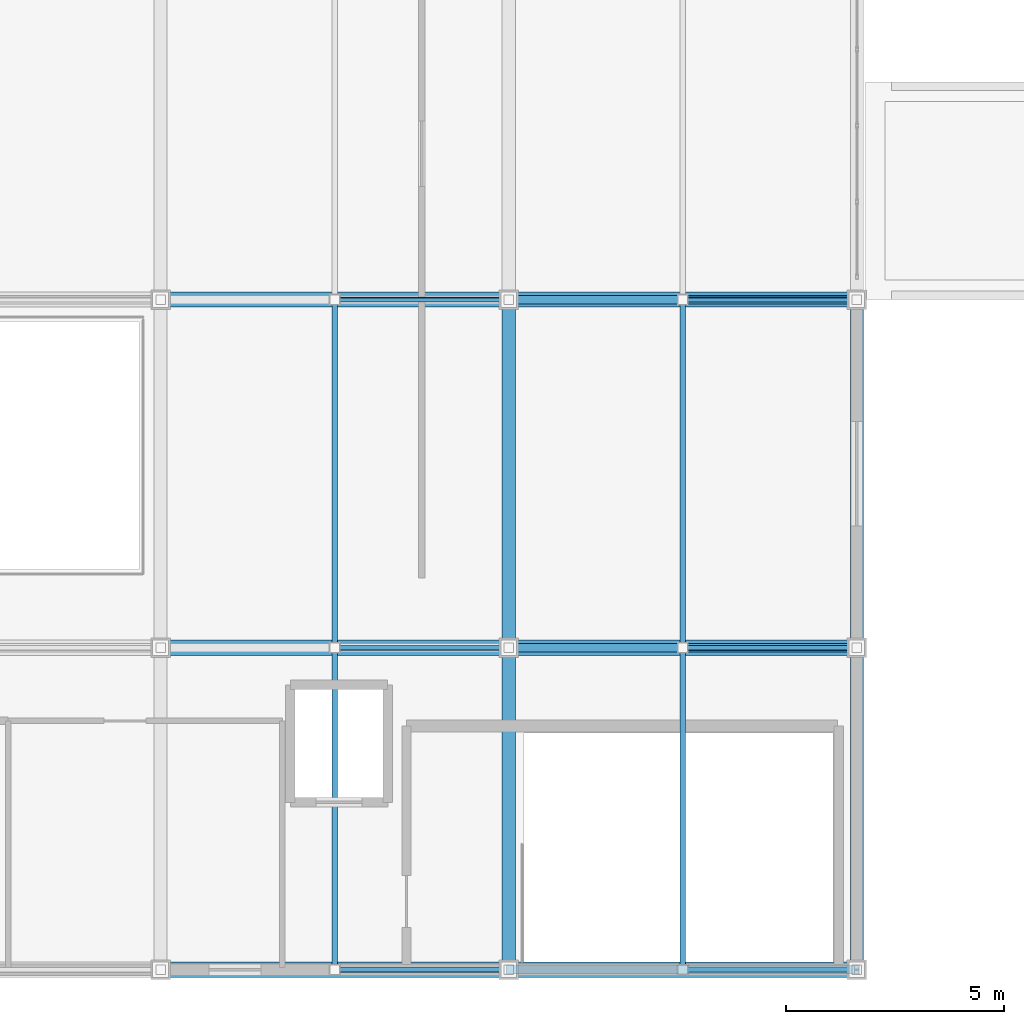
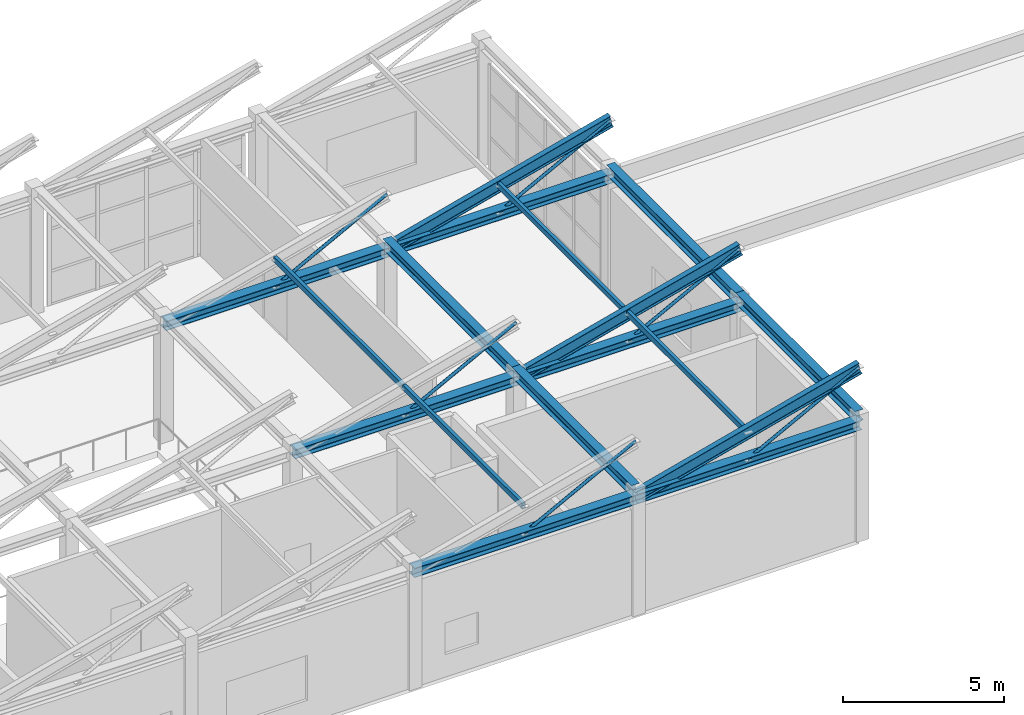
# One storey, part 6 of 63: 16 members, 7 beams.
"""IFC4 building model written with IfcOpenShell, lengths in metres."""

from ifc_helpers import new_model, si_unit, direction, frame, origin, origin_2d, place, context, subcontext, project, spatial, hollow_rectangle, hollow_circle, i_section, extrude, material, material_profile, profile_set, type_object, element, save


model = new_model("IFC4")

# Units and contexts
model_context = context("Model", 3, precision=1e-05, world=origin(), true_north=direction((0.0, 1.0)))
body_context = subcontext(model_context, "Body", "Model", "MODEL_VIEW")
ifc_project = project(units=[si_unit("LENGTHUNIT", "METRE"), si_unit("AREAUNIT", "SQUARE_METRE"), si_unit("VOLUMEUNIT", "CUBIC_METRE"), si_unit("PLANEANGLEUNIT", "RADIAN"), si_unit("MASSUNIT", "GRAM", prefix="KILO")], contexts=[model_context])

# Site, building, storey
site_placement = place(None, origin())
site = spatial("IfcSite", under=ifc_project, at=site_placement, CompositionType="ELEMENT")
building_placement = place(site_placement, origin())
building = spatial("IfcBuilding", under=site, at=building_placement, Name="Canggui Botanical Conservatory", CompositionType="ELEMENT")
storey_placement = place(building_placement, frame((0.0, 0.0, 10.199951171875)))
storey = spatial("IfcBuildingStorey", under=building, at=storey_placement, Name="L03", CompositionType="ELEMENT", Elevation=10.199951171875)

# Beams
ifc_material = material(Name="Steel Q355B", Category="steel")
ifc_material_profile_1 = material_profile(ifc_material, i_section(OverallWidth=0.300048828125, OverallDepth=0.39990234375, WebThickness=0.010009765625, FlangeThickness=0.01611328125, FilletRadius=0.02197265625, at=origin_2d()), Name="HM 400x300x10x16")
ifc_profile_set_1 = profile_set([ifc_material_profile_1], Name="Steel Q355B")
beam_type_1 = type_object("IfcBeamType", Name="BM-GL03", PredefinedType="BEAM", material=ifc_profile_set_1)
beam_1_placement = place(storey_placement, frame((58.0, 10.60009765625, 4.60009765625), z_axis=(0.0, 1.0, 0.0), x_axis=(-1.0, 0.0, 0.0)))
element("IfcBeam", 1, at=beam_1_placement, inside=storey, type_object=beam_type_1, Name="Visitor Clerestory Support Girder 4-1", PredefinedType="BEAM", context=body_context, shape_type="SweptSolid", body=[
    extrude(i_section(OverallWidth=0.300048828125, OverallDepth=0.39990234375, WebThickness=0.010009765625, FlangeThickness=0.01611328125, FilletRadius=0.02197265625, at=origin_2d()), origin(), (0.0, 0.0, 1.0), 7.39990234375),
])
beam_2_placement = place(storey_placement, frame((58.0, 18.0, 4.60009765625), z_axis=(0.0, 1.0, 0.0), x_axis=(-1.0, 0.0, 0.0)))
element("IfcBeam", 2, at=beam_2_placement, inside=storey, type_object=beam_type_1, Name="Visitor Clerestory Support Girder 4-2", PredefinedType="BEAM", context=body_context, shape_type="SweptSolid", body=[
    extrude(i_section(OverallWidth=0.300048828125, OverallDepth=0.39990234375, WebThickness=0.010009765625, FlangeThickness=0.01611328125, FilletRadius=0.02197265625, at=origin_2d()), origin(), (0.0, 0.0, 1.0), 8.0),
])
beam_3_placement = place(storey_placement, frame((66.0, 10.60009765625, 4.60009765625), z_axis=(0.0, 1.0, 0.0), x_axis=(-1.0, 0.0, 0.0)))
element("IfcBeam", 3, at=beam_3_placement, inside=storey, type_object=beam_type_1, Name="Visitor Clerestory Support Girder 5-1", PredefinedType="BEAM", context=body_context, shape_type="SweptSolid", body=[
    extrude(i_section(OverallWidth=0.300048828125, OverallDepth=0.39990234375, WebThickness=0.010009765625, FlangeThickness=0.01611328125, FilletRadius=0.02197265625, at=origin_2d()), origin(), (0.0, 0.0, 1.0), 7.39990234375),
])
beam_4_placement = place(storey_placement, frame((66.0, 18.0, 4.60009765625), z_axis=(0.0, 1.0, 0.0), x_axis=(-1.0, 0.0, 0.0)))
element("IfcBeam", 4, at=beam_4_placement, inside=storey, type_object=beam_type_1, Name="Visitor Clerestory Support Girder 5-2", PredefinedType="BEAM", context=body_context, shape_type="SweptSolid", body=[
    extrude(i_section(OverallWidth=0.300048828125, OverallDepth=0.39990234375, WebThickness=0.010009765625, FlangeThickness=0.01611328125, FilletRadius=0.02197265625, at=origin_2d()), origin(), (0.0, 0.0, 1.0), 8.0),
])
ifc_material_profile_2 = material_profile(ifc_material, i_section(OverallWidth=0.199951171875, OverallDepth=0.449951171875, WebThickness=0.009033203125, FlangeThickness=0.013916015625, FilletRadius=0.01806640625, at=origin_2d()), Name="HN 450x200x9x14")
ifc_profile_set_2 = profile_set([ifc_material_profile_2], Name="Steel Q355B")
beam_type_2 = type_object("IfcBeamType", Name="BM-GL07", PredefinedType="BEAM", material=ifc_profile_set_2)
for number, where, z_axis, x_axis, name in (
    (5, (58.0, 10.60009765625, 4.35009765625), (0.967235314575, 0.0, 0.253881559468), (0.0, 1.0, 0.0), "Visitor Sawtooth Steel Rafter 5-Y10"),
    (6, (58.0, 18.0, 4.35009765625), (0.967235314575, 0.0, 0.253881559468), (0.0, 1.0, 0.0), "Visitor Sawtooth Steel Rafter 5-Y18"),
    (7, (58.0, 26.0, 4.35009765625), (0.967235314575, 0.0, 0.253881559468), (0.0, 1.0, 0.0), "Visitor Sawtooth Steel Rafter 5-Y26"),
):
    element("IfcBeam", number, at=place(storey_placement, frame(where, z_axis=z_axis, x_axis=x_axis)), inside=storey, type_object=beam_type_2, Name=name, PredefinedType="BEAM", context=body_context, shape_type="SweptSolid", body=[
        extrude(i_section(OverallWidth=0.199951171875, OverallDepth=0.449951171875, WebThickness=0.009033203125, FlangeThickness=0.013916015625, FilletRadius=0.01806640625, at=origin_2d()), origin(), (0.0, 0.0, 1.0), 8.27099609375),
    ])

# Members
ifc_material_profile_3 = material_profile(ifc_material, hollow_rectangle(XDim=0.1201171875, YDim=0.199951171875, WallThickness=0.008056640625, at=origin_2d()), Name="RHS 120x200x8")
ifc_profile_set_3 = profile_set([ifc_material_profile_3], Name="Steel Q355B")
member_type_1 = type_object("IfcMemberType", Name="MEM-PUR02", PredefinedType="PURLIN", material=ifc_profile_set_3)
member_1_placement = place(storey_placement, frame((54.0, 10.60009765625, 5.400146484375), z_axis=(0.0, 1.0, 0.0), x_axis=(-1.0, 0.0, 0.0)))
element("IfcMember", 8, at=member_1_placement, inside=storey, type_object=member_type_1, Name="Visitor Sawtooth Roof Purlin 4-1", PredefinedType="PURLIN", context=body_context, shape_type="SweptSolid", body=[
    extrude(hollow_rectangle(XDim=0.1201171875, YDim=0.199951171875, WallThickness=0.008056640625, at=origin_2d()), origin(), (0.0, 0.0, 1.0), 7.39990234375),
])
member_2_placement = place(storey_placement, frame((54.0, 18.0, 5.400146484375), z_axis=(0.0, 1.0, 0.0), x_axis=(-1.0, 0.0, 0.0)))
element("IfcMember", 9, at=member_2_placement, inside=storey, type_object=member_type_1, Name="Visitor Sawtooth Roof Purlin 4-2", PredefinedType="PURLIN", context=body_context, shape_type="SweptSolid", body=[
    extrude(hollow_rectangle(XDim=0.1201171875, YDim=0.199951171875, WallThickness=0.008056640625, at=origin_2d()), origin(), (0.0, 0.0, 1.0), 8.0),
])
member_3_placement = place(storey_placement, frame((62.0, 10.60009765625, 5.400146484375), z_axis=(0.0, 1.0, 0.0), x_axis=(-1.0, 0.0, 0.0)))
element("IfcMember", 10, at=member_3_placement, inside=storey, type_object=member_type_1, Name="Visitor Sawtooth Roof Purlin 5-1", PredefinedType="PURLIN", context=body_context, shape_type="SweptSolid", body=[
    extrude(hollow_rectangle(XDim=0.1201171875, YDim=0.199951171875, WallThickness=0.008056640625, at=origin_2d()), origin(), (0.0, 0.0, 1.0), 7.39990234375),
])
member_4_placement = place(storey_placement, frame((62.0, 18.0, 5.400146484375), z_axis=(0.0, 1.0, 0.0), x_axis=(-1.0, 0.0, 0.0)))
element("IfcMember", 11, at=member_4_placement, inside=storey, type_object=member_type_1, Name="Visitor Sawtooth Roof Purlin 5-2", PredefinedType="PURLIN", context=body_context, shape_type="SweptSolid", body=[
    extrude(hollow_rectangle(XDim=0.1201171875, YDim=0.199951171875, WallThickness=0.008056640625, at=origin_2d()), origin(), (0.0, 0.0, 1.0), 8.0),
])
ifc_material_profile_4 = material_profile(ifc_material, i_section(OverallWidth=0.35009765625, OverallDepth=0.35009765625, WebThickness=0.011962890625, FlangeThickness=0.01904296875, FilletRadius=0.02001953125, at=origin_2d()), Name="HW 350x350x12x19")
ifc_profile_set_4 = profile_set([ifc_material_profile_4], Name="Steel Q355B")
member_type_2 = type_object("IfcMemberType", Name="MEM-TC09", PredefinedType="CHORD", material=ifc_profile_set_4)
for number, where, z_axis, x_axis, name in (
    (12, (50.0, 10.60009765625, 4.35009765625), (1.0, 0.0, 0.0), (0.0, 1.0, 0.0), "Visitor Sawtooth Truss Tie Chord 4-Y10"),
    (13, (50.0, 18.0, 4.35009765625), (1.0, 0.0, 0.0), (0.0, 1.0, 0.0), "Visitor Sawtooth Truss Tie Chord 4-Y18"),
    (14, (50.0, 26.0, 4.35009765625), (1.0, 0.0, 0.0), (0.0, 1.0, 0.0), "Visitor Sawtooth Truss Tie Chord 4-Y26"),
    (15, (58.0, 10.60009765625, 4.35009765625), (1.0, 0.0, 0.0), (0.0, 1.0, 0.0), "Visitor Sawtooth Truss Tie Chord 5-Y10"),
    (16, (58.0, 18.0, 4.35009765625), (1.0, 0.0, 0.0), (0.0, 1.0, 0.0), "Visitor Sawtooth Truss Tie Chord 5-Y18"),
    (17, (58.0, 26.0, 4.35009765625), (1.0, 0.0, 0.0), (0.0, 1.0, 0.0), "Visitor Sawtooth Truss Tie Chord 5-Y26"),
):
    element("IfcMember", number, at=place(storey_placement, frame(where, z_axis=z_axis, x_axis=x_axis)), inside=storey, type_object=member_type_2, Name=name, PredefinedType="CHORD", context=body_context, shape_type="SweptSolid", body=[
        extrude(i_section(OverallWidth=0.35009765625, OverallDepth=0.35009765625, WebThickness=0.011962890625, FlangeThickness=0.01904296875, FilletRadius=0.02001953125, at=origin_2d()), origin(), (0.0, 0.0, 1.0), 8.0),
    ])
ifc_material_profile_5 = material_profile(ifc_material, hollow_circle(Radius=0.056884765625, WallThickness=0.006103515625, at=origin_2d()), Name="CHS 114x6")
ifc_profile_set_5 = profile_set([ifc_material_profile_5], Name="Steel Q355B")
member_type_3 = type_object("IfcMemberType", Name="MEM-TW03", PredefinedType="BRACE", material=ifc_profile_set_5)
for number, where, z_axis, x_axis, name in (
    (18, (54.0, 10.60009765625, 4.35009765625), (0.88541124729, 0.0, 0.464808480099), (0.0, 1.0, 0.0), "Visitor Sawtooth Truss Diagonal 4-Y10"),
    (19, (54.0, 18.0, 4.35009765625), (0.88541124729, 0.0, 0.464808480099), (0.0, 1.0, 0.0), "Visitor Sawtooth Truss Diagonal 4-Y18"),
    (20, (54.0, 26.0, 4.35009765625), (0.88541124729, 0.0, 0.464808480099), (0.0, 1.0, 0.0), "Visitor Sawtooth Truss Diagonal 4-Y26"),
    (21, (62.0, 10.60009765625, 4.35009765625), (0.88541124729, 0.0, 0.464808480099), (0.0, 1.0, 0.0), "Visitor Sawtooth Truss Diagonal 5-Y10"),
    (22, (62.0, 18.0, 4.35009765625), (0.88541124729, 0.0, 0.464808480099), (0.0, 1.0, 0.0), "Visitor Sawtooth Truss Diagonal 5-Y18"),
    (23, (62.0, 26.0, 4.35009765625), (0.88541124729, 0.0, 0.464808480099), (0.0, 1.0, 0.0), "Visitor Sawtooth Truss Diagonal 5-Y26"),
):
    element("IfcMember", number, at=place(storey_placement, frame(where, z_axis=z_axis, x_axis=x_axis)), inside=storey, type_object=member_type_3, Name=name, PredefinedType="BRACE", context=body_context, shape_type="SweptSolid", body=[
        extrude(hollow_circle(Radius=0.056884765625, WallThickness=0.006103515625, at=origin_2d()), origin(), (0.0, 0.0, 1.0), 4.517578125),
    ])

save(model, "model.ifc")
